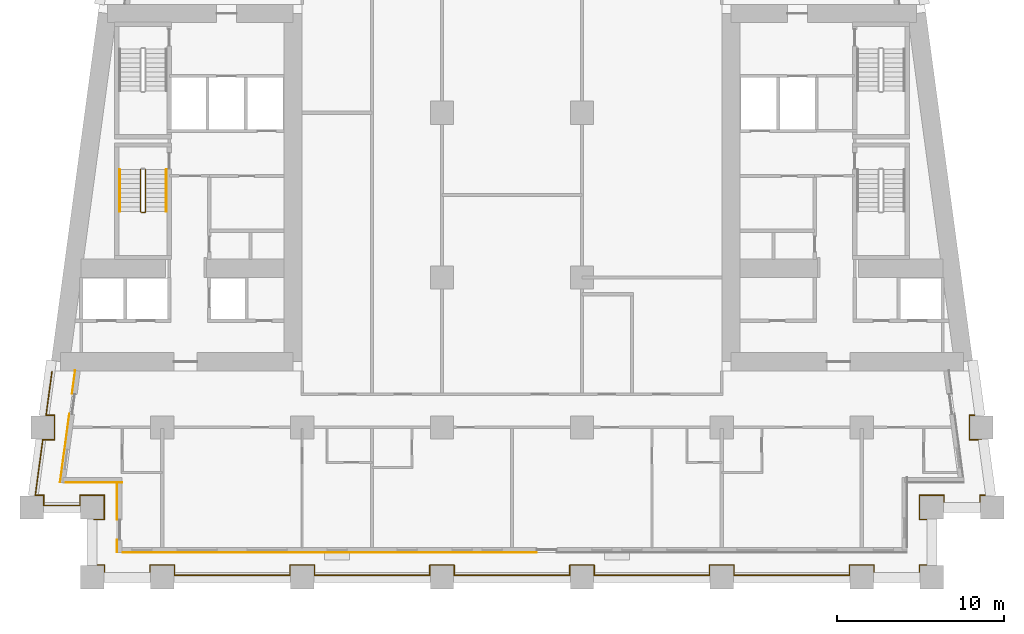
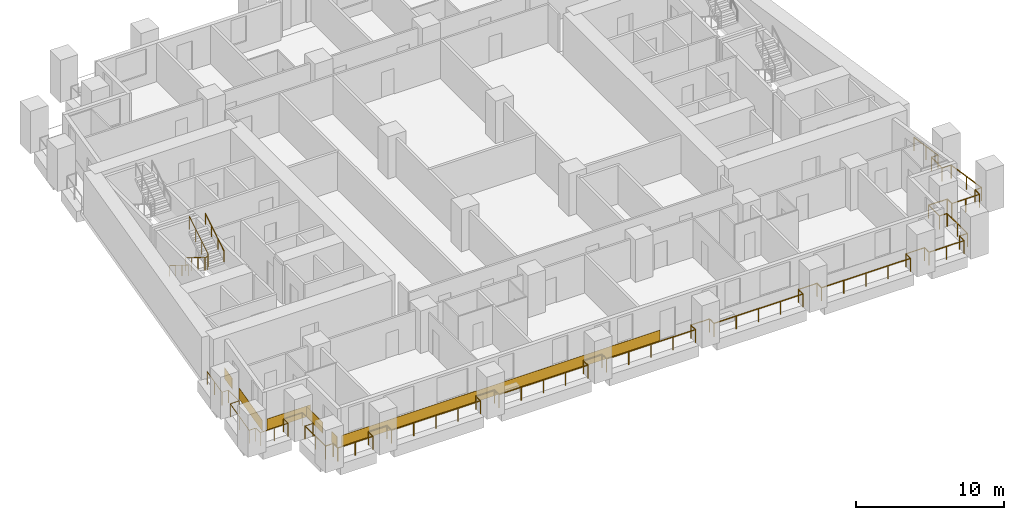
# One storey, part 8 of 12: 6 coverings, 5 railings.
"""IFC4 building model written with IfcOpenShell, lengths in metres."""

from ifc_helpers import new_model, si_unit, direction, frame, origin, origin_2d, place, context, subcontext, project, spatial, rectangle, circle, extrude, material, layer, layer_set, type_object, element, save


model = new_model("IFC4")

# Units and contexts
model_context = context("Model", 3, precision=1e-05, world=origin(), true_north=direction((0.0, 1.0)))
body_context = subcontext(model_context, "Body", "Model", "MODEL_VIEW")
ifc_project = project(units=[si_unit("LENGTHUNIT", "METRE"), si_unit("AREAUNIT", "SQUARE_METRE"), si_unit("VOLUMEUNIT", "CUBIC_METRE"), si_unit("PLANEANGLEUNIT", "RADIAN"), si_unit("MASSUNIT", "GRAM", prefix="KILO")], contexts=[model_context])

# Site, building, storey
site_placement = place(None, origin())
site = spatial("IfcSite", under=ifc_project, at=site_placement, CompositionType="ELEMENT")
building_placement = place(site_placement, origin())
building = spatial("IfcBuilding", under=site, at=building_placement, Name="Candeia Pilgrim Tower and Theatre", CompositionType="ELEMENT")
storey_placement = place(building_placement, frame((0.0, 0.0, 74.0)))
storey = spatial("IfcBuildingStorey", under=building, at=storey_placement, Name="L16", CompositionType="ELEMENT", Elevation=74.0)

# Railings
ifc_material_1 = material(Name="Stainless steel balustrade", Category="steel")
railing_type_1 = type_object("IfcRailingType", Name="G1 loggia guard 1100", PredefinedType="GUARDRAIL", material=ifc_material_1)
railing_1_placement = place(storey_placement, frame((88.320068359375, 101.469970703125, 0.0)))
element("IfcRailing", 1, at=railing_1_placement, inside=storey, type_object=railing_type_1, Name="Guard L16.1", PredefinedType="GUARDRAIL", context=body_context, shape_type="SweptSolid", body=[
    extrude(circle(Radius=0.02392578125, at=origin_2d()), frame((0.0, 0.0, 1.076171875), z_axis=(1.0, 0.0, 0.0), x_axis=(0.0, 1.0, 0.0)), (0.0, 0.0, 1.0), 0.60986328125),
    extrude(circle(Radius=0.02392578125, at=origin_2d()), frame((0.60986328125, 0.0, 1.076171875), z_axis=(0.0, 1.0, 0.0), x_axis=(-1.0, 0.0, 0.0)), (0.0, 0.0, 1.0), 1.4599609375),
    extrude(circle(Radius=0.02392578125, at=origin_2d()), frame((0.60986328125, 1.4599609375, 1.076171875), z_axis=(-1.0, 0.0, 0.0), x_axis=(0.0, -1.0, 0.0)), (0.0, 0.0, 1.0), 1.4599609375),
    extrude(circle(Radius=0.02392578125, at=origin_2d()), frame((-0.85009765625, 1.4599609375, 1.076171875), z_axis=(0.0, -1.0, 0.0), x_axis=(1.0, 0.0, 0.0)), (0.0, 0.0, 1.0), 0.60986328125),
    extrude(circle(Radius=0.02392578125, at=origin_2d()), frame((-0.85009765625, 0.85009765625, 1.076171875), z_axis=(-1.0, 0.0, 0.0), x_axis=(0.0, -1.0, 0.0)), (0.0, 0.0, 1.0), 2.174560546875),
    extrude(circle(Radius=0.02392578125, at=origin_2d()), frame((-3.024658203125, 0.85009765625, 1.076171875), z_axis=(0.0, 1.0, 0.0), x_axis=(-1.0, 0.0, 0.0)), (0.0, 0.0, 1.0), 0.60986328125),
    extrude(circle(Radius=0.02392578125, at=origin_2d()), frame((-3.024658203125, 1.4599609375, 1.076171875), z_axis=(-1.0, 0.0, 0.0), x_axis=(0.0, -1.0, 0.0)), (0.0, 0.0, 1.0), 0.5107421875),
    extrude(circle(Radius=0.02392578125, at=origin_2d()), frame((-3.535400390625, 1.4599609375, 1.076171875), z_axis=(0.133435273035, 0.991057530071, 0.0), x_axis=(-0.991057530071, 0.133435273035, 0.0)), (0.0, 0.0, 1.0), 3.3701171875),
    extrude(circle(Radius=0.02392578125, at=origin_2d()), frame((-3.085693359375, 4.800048828125, 1.076171875), z_axis=(1.0, 0.0, 0.0), x_axis=(0.0, 1.0, 0.0)), (0.0, 0.0, 1.0), 0.707275390625),
    extrude(circle(Radius=0.02392578125, at=origin_2d()), frame((-2.37841796875, 4.800048828125, 1.076171875), z_axis=(0.0, 1.0, 0.0), x_axis=(-1.0, 0.0, 0.0)), (0.0, 0.0, 1.0), 1.4599609375),
    extrude(circle(Radius=0.02392578125, at=origin_2d()), frame((-2.37841796875, 6.260009765625, 1.076171875), z_axis=(-1.0, 0.0, 0.0), x_axis=(0.0, -1.0, 0.0)), (0.0, 0.0, 1.0), 0.5107421875),
    extrude(circle(Radius=0.02392578125, at=origin_2d()), frame((-2.88916015625, 6.260009765625, 1.076171875), z_axis=(0.133439920495, 0.991056904329, 0.0), x_axis=(-0.991056904329, 0.133439920495, 0.0)), (0.0, 0.0, 1.0), 2.643798828125),
    extrude(circle(Radius=0.02099609375, at=origin_2d()), origin(), (0.0, 0.0, 1.0), 1.052001953125),
    extrude(circle(Radius=0.02099609375, at=origin_2d()), frame((0.60986328125, 0.0, 0.0)), (0.0, 0.0, 1.0), 1.052001953125),
    extrude(circle(Radius=0.02099609375, at=origin_2d()), frame((0.60986328125, 1.4599609375, 0.0)), (0.0, 0.0, 1.0), 1.052001953125),
    extrude(circle(Radius=0.02099609375, at=origin_2d()), frame((-0.85009765625, 1.4599609375, 0.0)), (0.0, 0.0, 1.0), 1.052001953125),
    extrude(circle(Radius=0.02099609375, at=origin_2d()), frame((-0.85009765625, 0.85009765625, 0.0)), (0.0, 0.0, 1.0), 1.052001953125),
    extrude(circle(Radius=0.02099609375, at=origin_2d()), frame((-1.9375, 0.85009765625, 0.0)), (0.0, 0.0, 1.0), 1.052001953125),
    extrude(circle(Radius=0.02099609375, at=origin_2d()), frame((-3.024658203125, 0.85009765625, 0.0)), (0.0, 0.0, 1.0), 1.052001953125),
    extrude(circle(Radius=0.02099609375, at=origin_2d()), frame((-3.024658203125, 1.4599609375, 0.0)), (0.0, 0.0, 1.0), 1.052001953125),
    extrude(circle(Radius=0.02099609375, at=origin_2d()), frame((-3.535400390625, 1.4599609375, 0.0)), (0.0, 0.0, 1.0), 1.052001953125),
    extrude(circle(Radius=0.02099609375, at=origin_2d()), frame((-3.310546875, 3.1298828125, 0.0)), (0.0, 0.0, 1.0), 1.052001953125),
    extrude(circle(Radius=0.02099609375, at=origin_2d()), frame((-3.085693359375, 4.800048828125, 0.0)), (0.0, 0.0, 1.0), 1.052001953125),
    extrude(circle(Radius=0.02099609375, at=origin_2d()), frame((-2.37841796875, 4.800048828125, 0.0)), (0.0, 0.0, 1.0), 1.052001953125),
    extrude(circle(Radius=0.02099609375, at=origin_2d()), frame((-2.37841796875, 6.260009765625, 0.0)), (0.0, 0.0, 1.0), 1.052001953125),
    extrude(circle(Radius=0.02099609375, at=origin_2d()), frame((-2.88916015625, 6.260009765625, 0.0)), (0.0, 0.0, 1.0), 1.052001953125),
    extrude(circle(Radius=0.02099609375, at=origin_2d()), frame((-2.712890625, 7.570068359375, 0.0)), (0.0, 0.0, 1.0), 1.052001953125),
    extrude(circle(Radius=0.02099609375, at=origin_2d()), frame((-2.536376953125, 8.880126953125, 0.0)), (0.0, 0.0, 1.0), 1.052001953125),
])
railing_2_placement = place(storey_placement, frame((141.016357421875, 110.35009765625, 0.0)))
element("IfcRailing", 2, at=railing_2_placement, inside=storey, type_object=railing_type_1, Name="Guard L16.4", PredefinedType="GUARDRAIL", context=body_context, shape_type="SweptSolid", body=[
    extrude(circle(Radius=0.02392578125, at=origin_2d()), frame((0.0, 0.0, 1.076171875), z_axis=(0.133439920495, -0.991056904329, 0.0), x_axis=(0.991056904329, 0.133439920495, 0.0)), (0.0, 0.0, 1.0), 2.643798828125),
    extrude(circle(Radius=0.02392578125, at=origin_2d()), frame((0.352783203125, -2.6201171875, 1.076171875), z_axis=(-1.0, 0.0, 0.0), x_axis=(0.0, -1.0, 0.0)), (0.0, 0.0, 1.0), 0.5107421875),
    extrude(circle(Radius=0.02392578125, at=origin_2d()), frame((-0.157958984375, -2.6201171875, 1.076171875), z_axis=(0.0, -1.0, 0.0), x_axis=(1.0, 0.0, 0.0)), (0.0, 0.0, 1.0), 1.4599609375),
    extrude(circle(Radius=0.02392578125, at=origin_2d()), frame((-0.157958984375, -4.080078125, 1.076171875), z_axis=(1.0, 0.0, 0.0), x_axis=(0.0, 1.0, 0.0)), (0.0, 0.0, 1.0), 0.707275390625),
    extrude(circle(Radius=0.02392578125, at=origin_2d()), frame((0.54931640625, -4.080078125, 1.076171875), z_axis=(0.133435273035, -0.991057530071, 0.0), x_axis=(0.991057530071, 0.133435273035, 0.0)), (0.0, 0.0, 1.0), 3.3701171875),
    extrude(circle(Radius=0.02392578125, at=origin_2d()), frame((0.9990234375, -7.420166015625, 1.076171875), z_axis=(-1.0, 0.0, 0.0), x_axis=(0.0, -1.0, 0.0)), (0.0, 0.0, 1.0), 0.5107421875),
    extrude(circle(Radius=0.02392578125, at=origin_2d()), frame((0.48828125, -7.420166015625, 1.076171875), z_axis=(0.0, -1.0, 0.0), x_axis=(1.0, 0.0, 0.0)), (0.0, 0.0, 1.0), 0.60986328125),
    extrude(circle(Radius=0.02392578125, at=origin_2d()), frame((0.48828125, -8.030029296875, 1.076171875), z_axis=(-1.0, 0.0, 0.0), x_axis=(0.0, -1.0, 0.0)), (0.0, 0.0, 1.0), 2.174560546875),
    extrude(circle(Radius=0.02392578125, at=origin_2d()), frame((-1.686279296875, -8.030029296875, 1.076171875), z_axis=(0.0, 1.0, 0.0), x_axis=(-1.0, 0.0, 0.0)), (0.0, 0.0, 1.0), 0.60986328125),
    extrude(circle(Radius=0.02392578125, at=origin_2d()), frame((-1.686279296875, -7.420166015625, 1.076171875), z_axis=(-1.0, 0.0, 0.0), x_axis=(0.0, -1.0, 0.0)), (0.0, 0.0, 1.0), 1.4599609375),
    extrude(circle(Radius=0.02392578125, at=origin_2d()), frame((-3.146240234375, -7.420166015625, 1.076171875), z_axis=(0.0, -1.0, 0.0), x_axis=(1.0, 0.0, 0.0)), (0.0, 0.0, 1.0), 1.4599609375),
    extrude(circle(Radius=0.02392578125, at=origin_2d()), frame((-3.146240234375, -8.880126953125, 1.076171875), z_axis=(1.0, 0.0, 0.0), x_axis=(0.0, 1.0, 0.0)), (0.0, 0.0, 1.0), 0.60986328125),
    extrude(circle(Radius=0.02392578125, at=origin_2d()), frame((-2.536376953125, -8.880126953125, 1.076171875), z_axis=(0.0, -1.0, 0.0), x_axis=(1.0, 0.0, 0.0)), (0.0, 0.0, 1.0), 2.739990234375),
    extrude(circle(Radius=0.02392578125, at=origin_2d()), frame((-2.536376953125, -11.6201171875, 1.076171875), z_axis=(-1.0, 0.0, 0.0), x_axis=(0.0, -1.0, 0.0)), (0.0, 0.0, 1.0), 0.60986328125),
    extrude(circle(Radius=0.02392578125, at=origin_2d()), frame((-3.146240234375, -11.6201171875, 1.076171875), z_axis=(0.0, -1.0, 0.0), x_axis=(1.0, 0.0, 0.0)), (0.0, 0.0, 1.0), 0.60986328125),
    extrude(circle(Radius=0.02392578125, at=origin_2d()), frame((-3.146240234375, -12.22998046875, 1.076171875), z_axis=(-1.0, 0.0, 0.0), x_axis=(0.0, -1.0, 0.0)), (0.0, 0.0, 1.0), 2.740234375),
    extrude(circle(Radius=0.02392578125, at=origin_2d()), frame((-5.886474609375, -12.22998046875, 1.076171875), z_axis=(0.0, 1.0, 0.0), x_axis=(-1.0, 0.0, 0.0)), (0.0, 0.0, 1.0), 0.60986328125),
    extrude(circle(Radius=0.02392578125, at=origin_2d()), frame((-5.886474609375, -11.6201171875, 1.076171875), z_axis=(-1.0, 0.0, 0.0), x_axis=(0.0, -1.0, 0.0)), (0.0, 0.0, 1.0), 1.4599609375),
    extrude(circle(Radius=0.02392578125, at=origin_2d()), frame((-7.346435546875, -11.6201171875, 1.076171875), z_axis=(0.0, -1.0, 0.0), x_axis=(1.0, 0.0, 0.0)), (0.0, 0.0, 1.0), 0.60986328125),
    extrude(circle(Radius=0.02392578125, at=origin_2d()), frame((-7.346435546875, -12.22998046875, 1.076171875), z_axis=(-1.0, 0.0, 0.0), x_axis=(0.0, -1.0, 0.0)), (0.0, 0.0, 1.0), 6.93994140625),
    extrude(circle(Radius=0.02392578125, at=origin_2d()), frame((-14.286376953125, -12.22998046875, 1.076171875), z_axis=(0.0, 1.0, 0.0), x_axis=(-1.0, 0.0, 0.0)), (0.0, 0.0, 1.0), 0.60986328125),
    extrude(circle(Radius=0.02392578125, at=origin_2d()), frame((-14.286376953125, -11.6201171875, 1.076171875), z_axis=(-1.0, 0.0, 0.0), x_axis=(0.0, -1.0, 0.0)), (0.0, 0.0, 1.0), 1.4599609375),
    extrude(circle(Radius=0.02392578125, at=origin_2d()), frame((-15.746337890625, -11.6201171875, 1.076171875), z_axis=(0.0, -1.0, 0.0), x_axis=(1.0, 0.0, 0.0)), (0.0, 0.0, 1.0), 0.60986328125),
    extrude(circle(Radius=0.02392578125, at=origin_2d()), frame((-15.746337890625, -12.22998046875, 1.076171875), z_axis=(-1.0, 0.0, 0.0), x_axis=(0.0, -1.0, 0.0)), (0.0, 0.0, 1.0), 6.93994140625),
    extrude(circle(Radius=0.02392578125, at=origin_2d()), frame((-22.686279296875, -12.22998046875, 1.076171875), z_axis=(0.0, 1.0, 0.0), x_axis=(-1.0, 0.0, 0.0)), (0.0, 0.0, 1.0), 0.60986328125),
    extrude(circle(Radius=0.02392578125, at=origin_2d()), frame((-22.686279296875, -11.6201171875, 1.076171875), z_axis=(-1.0, 0.0, 0.0), x_axis=(0.0, -1.0, 0.0)), (0.0, 0.0, 1.0), 1.4599609375),
    extrude(circle(Radius=0.02392578125, at=origin_2d()), frame((-24.146240234375, -11.6201171875, 1.076171875), z_axis=(0.0, -1.0, 0.0), x_axis=(1.0, 0.0, 0.0)), (0.0, 0.0, 1.0), 0.60986328125),
    extrude(circle(Radius=0.02392578125, at=origin_2d()), frame((-24.146240234375, -12.22998046875, 1.076171875), z_axis=(-1.0, 0.0, 0.0), x_axis=(0.0, -1.0, 0.0)), (0.0, 0.0, 1.0), 6.940185546875),
    extrude(circle(Radius=0.02392578125, at=origin_2d()), frame((-31.08642578125, -12.22998046875, 1.076171875), z_axis=(0.0, 1.0, 0.0), x_axis=(-1.0, 0.0, 0.0)), (0.0, 0.0, 1.0), 0.60986328125),
    extrude(circle(Radius=0.02392578125, at=origin_2d()), frame((-31.08642578125, -11.6201171875, 1.076171875), z_axis=(-1.0, 0.0, 0.0), x_axis=(0.0, -1.0, 0.0)), (0.0, 0.0, 1.0), 1.4599609375),
    extrude(circle(Radius=0.02392578125, at=origin_2d()), frame((-32.54638671875, -11.6201171875, 1.076171875), z_axis=(0.0, -1.0, 0.0), x_axis=(1.0, 0.0, 0.0)), (0.0, 0.0, 1.0), 0.60986328125),
    extrude(circle(Radius=0.02392578125, at=origin_2d()), frame((-32.54638671875, -12.22998046875, 1.076171875), z_axis=(-1.0, 0.0, 0.0), x_axis=(0.0, -1.0, 0.0)), (0.0, 0.0, 1.0), 6.93994140625),
    extrude(circle(Radius=0.02392578125, at=origin_2d()), frame((-39.486328125, -12.22998046875, 1.076171875), z_axis=(0.0, 1.0, 0.0), x_axis=(-1.0, 0.0, 0.0)), (0.0, 0.0, 1.0), 0.60986328125),
    extrude(circle(Radius=0.02392578125, at=origin_2d()), frame((-39.486328125, -11.6201171875, 1.076171875), z_axis=(-1.0, 0.0, 0.0), x_axis=(0.0, -1.0, 0.0)), (0.0, 0.0, 1.0), 1.4599609375),
    extrude(circle(Radius=0.02392578125, at=origin_2d()), frame((-40.9462890625, -11.6201171875, 1.076171875), z_axis=(0.0, -1.0, 0.0), x_axis=(1.0, 0.0, 0.0)), (0.0, 0.0, 1.0), 0.60986328125),
    extrude(circle(Radius=0.02392578125, at=origin_2d()), frame((-40.9462890625, -12.22998046875, 1.076171875), z_axis=(-1.0, 0.0, 0.0), x_axis=(0.0, -1.0, 0.0)), (0.0, 0.0, 1.0), 6.940185546875),
    extrude(circle(Radius=0.02392578125, at=origin_2d()), frame((-47.886474609375, -12.22998046875, 1.076171875), z_axis=(0.0, 1.0, 0.0), x_axis=(-1.0, 0.0, 0.0)), (0.0, 0.0, 1.0), 0.60986328125),
    extrude(circle(Radius=0.02392578125, at=origin_2d()), frame((-47.886474609375, -11.6201171875, 1.076171875), z_axis=(-1.0, 0.0, 0.0), x_axis=(0.0, -1.0, 0.0)), (0.0, 0.0, 1.0), 1.4599609375),
    extrude(circle(Radius=0.02392578125, at=origin_2d()), frame((-49.346435546875, -11.6201171875, 1.076171875), z_axis=(0.0, -1.0, 0.0), x_axis=(1.0, 0.0, 0.0)), (0.0, 0.0, 1.0), 0.60986328125),
    extrude(circle(Radius=0.02392578125, at=origin_2d()), frame((-49.346435546875, -12.22998046875, 1.076171875), z_axis=(-1.0, 0.0, 0.0), x_axis=(0.0, -1.0, 0.0)), (0.0, 0.0, 1.0), 2.739990234375),
    extrude(circle(Radius=0.02392578125, at=origin_2d()), frame((-52.08642578125, -12.22998046875, 1.076171875), z_axis=(0.0, 1.0, 0.0), x_axis=(-1.0, 0.0, 0.0)), (0.0, 0.0, 1.0), 0.60986328125),
    extrude(circle(Radius=0.02392578125, at=origin_2d()), frame((-52.08642578125, -11.6201171875, 1.076171875), z_axis=(-1.0, 0.0, 0.0), x_axis=(0.0, -1.0, 0.0)), (0.0, 0.0, 1.0), 0.60986328125),
    extrude(circle(Radius=0.02392578125, at=origin_2d()), frame((-52.6962890625, -11.6201171875, 1.076171875), z_axis=(0.0, 1.0, 0.0), x_axis=(-1.0, 0.0, 0.0)), (0.0, 0.0, 1.0), 2.739990234375),
    extrude(circle(Radius=0.02099609375, at=origin_2d()), origin(), (0.0, 0.0, 1.0), 1.052001953125),
    extrude(circle(Radius=0.02099609375, at=origin_2d()), frame((0.17626953125, -1.31005859375, 0.0)), (0.0, 0.0, 1.0), 1.052001953125),
    extrude(circle(Radius=0.02099609375, at=origin_2d()), frame((0.352783203125, -2.6201171875, 0.0)), (0.0, 0.0, 1.0), 1.052001953125),
    extrude(circle(Radius=0.02099609375, at=origin_2d()), frame((-0.157958984375, -2.6201171875, 0.0)), (0.0, 0.0, 1.0), 1.052001953125),
    extrude(circle(Radius=0.02099609375, at=origin_2d()), frame((-0.157958984375, -4.080078125, 0.0)), (0.0, 0.0, 1.0), 1.052001953125),
    extrude(circle(Radius=0.02099609375, at=origin_2d()), frame((0.54931640625, -4.080078125, 0.0)), (0.0, 0.0, 1.0), 1.052001953125),
    extrude(circle(Radius=0.02099609375, at=origin_2d()), frame((0.774169921875, -5.75, 0.0)), (0.0, 0.0, 1.0), 1.052001953125),
    extrude(circle(Radius=0.02099609375, at=origin_2d()), frame((0.9990234375, -7.420166015625, 0.0)), (0.0, 0.0, 1.0), 1.052001953125),
    extrude(circle(Radius=0.02099609375, at=origin_2d()), frame((0.48828125, -7.420166015625, 0.0)), (0.0, 0.0, 1.0), 1.052001953125),
    extrude(circle(Radius=0.02099609375, at=origin_2d()), frame((0.48828125, -8.030029296875, 0.0)), (0.0, 0.0, 1.0), 1.052001953125),
    extrude(circle(Radius=0.02099609375, at=origin_2d()), frame((-0.59912109375, -8.030029296875, 0.0)), (0.0, 0.0, 1.0), 1.052001953125),
    extrude(circle(Radius=0.02099609375, at=origin_2d()), frame((-1.686279296875, -8.030029296875, 0.0)), (0.0, 0.0, 1.0), 1.052001953125),
    extrude(circle(Radius=0.02099609375, at=origin_2d()), frame((-1.686279296875, -7.420166015625, 0.0)), (0.0, 0.0, 1.0), 1.052001953125),
    extrude(circle(Radius=0.02099609375, at=origin_2d()), frame((-3.146240234375, -7.420166015625, 0.0)), (0.0, 0.0, 1.0), 1.052001953125),
    extrude(circle(Radius=0.02099609375, at=origin_2d()), frame((-3.146240234375, -8.880126953125, 0.0)), (0.0, 0.0, 1.0), 1.052001953125),
    extrude(circle(Radius=0.02099609375, at=origin_2d()), frame((-2.536376953125, -8.880126953125, 0.0)), (0.0, 0.0, 1.0), 1.052001953125),
    extrude(circle(Radius=0.02099609375, at=origin_2d()), frame((-2.536376953125, -10.25, 0.0)), (0.0, 0.0, 1.0), 1.052001953125),
    extrude(circle(Radius=0.02099609375, at=origin_2d()), frame((-2.536376953125, -11.6201171875, 0.0)), (0.0, 0.0, 1.0), 1.052001953125),
    extrude(circle(Radius=0.02099609375, at=origin_2d()), frame((-3.146240234375, -11.6201171875, 0.0)), (0.0, 0.0, 1.0), 1.052001953125),
    extrude(circle(Radius=0.02099609375, at=origin_2d()), frame((-3.146240234375, -12.22998046875, 0.0)), (0.0, 0.0, 1.0), 1.052001953125),
    extrude(circle(Radius=0.02099609375, at=origin_2d()), frame((-4.516357421875, -12.22998046875, 0.0)), (0.0, 0.0, 1.0), 1.052001953125),
    extrude(circle(Radius=0.02099609375, at=origin_2d()), frame((-5.886474609375, -12.22998046875, 0.0)), (0.0, 0.0, 1.0), 1.052001953125),
    extrude(circle(Radius=0.02099609375, at=origin_2d()), frame((-5.886474609375, -11.6201171875, 0.0)), (0.0, 0.0, 1.0), 1.052001953125),
    extrude(circle(Radius=0.02099609375, at=origin_2d()), frame((-7.346435546875, -11.6201171875, 0.0)), (0.0, 0.0, 1.0), 1.052001953125),
    extrude(circle(Radius=0.02099609375, at=origin_2d()), frame((-7.346435546875, -12.22998046875, 0.0)), (0.0, 0.0, 1.0), 1.052001953125),
    extrude(circle(Radius=0.02099609375, at=origin_2d()), frame((-9.08154296875, -12.22998046875, 0.0)), (0.0, 0.0, 1.0), 1.052001953125),
    extrude(circle(Radius=0.02099609375, at=origin_2d()), frame((-10.81640625, -12.22998046875, 0.0)), (0.0, 0.0, 1.0), 1.052001953125),
    extrude(circle(Radius=0.02099609375, at=origin_2d()), frame((-12.55126953125, -12.22998046875, 0.0)), (0.0, 0.0, 1.0), 1.052001953125),
    extrude(circle(Radius=0.02099609375, at=origin_2d()), frame((-14.286376953125, -12.22998046875, 0.0)), (0.0, 0.0, 1.0), 1.052001953125),
    extrude(circle(Radius=0.02099609375, at=origin_2d()), frame((-14.286376953125, -11.6201171875, 0.0)), (0.0, 0.0, 1.0), 1.052001953125),
    extrude(circle(Radius=0.02099609375, at=origin_2d()), frame((-15.746337890625, -11.6201171875, 0.0)), (0.0, 0.0, 1.0), 1.052001953125),
    extrude(circle(Radius=0.02099609375, at=origin_2d()), frame((-15.746337890625, -12.22998046875, 0.0)), (0.0, 0.0, 1.0), 1.052001953125),
    extrude(circle(Radius=0.02099609375, at=origin_2d()), frame((-17.4814453125, -12.22998046875, 0.0)), (0.0, 0.0, 1.0), 1.052001953125),
    extrude(circle(Radius=0.02099609375, at=origin_2d()), frame((-19.21630859375, -12.22998046875, 0.0)), (0.0, 0.0, 1.0), 1.052001953125),
    extrude(circle(Radius=0.02099609375, at=origin_2d()), frame((-20.951171875, -12.22998046875, 0.0)), (0.0, 0.0, 1.0), 1.052001953125),
    extrude(circle(Radius=0.02099609375, at=origin_2d()), frame((-22.686279296875, -12.22998046875, 0.0)), (0.0, 0.0, 1.0), 1.052001953125),
    extrude(circle(Radius=0.02099609375, at=origin_2d()), frame((-22.686279296875, -11.6201171875, 0.0)), (0.0, 0.0, 1.0), 1.052001953125),
    extrude(circle(Radius=0.02099609375, at=origin_2d()), frame((-24.146240234375, -11.6201171875, 0.0)), (0.0, 0.0, 1.0), 1.052001953125),
    extrude(circle(Radius=0.02099609375, at=origin_2d()), frame((-24.146240234375, -12.22998046875, 0.0)), (0.0, 0.0, 1.0), 1.052001953125),
    extrude(circle(Radius=0.02099609375, at=origin_2d()), frame((-25.88134765625, -12.22998046875, 0.0)), (0.0, 0.0, 1.0), 1.052001953125),
    extrude(circle(Radius=0.02099609375, at=origin_2d()), frame((-27.6162109375, -12.22998046875, 0.0)), (0.0, 0.0, 1.0), 1.052001953125),
    extrude(circle(Radius=0.02099609375, at=origin_2d()), frame((-29.351318359375, -12.22998046875, 0.0)), (0.0, 0.0, 1.0), 1.052001953125),
    extrude(circle(Radius=0.02099609375, at=origin_2d()), frame((-31.08642578125, -12.22998046875, 0.0)), (0.0, 0.0, 1.0), 1.052001953125),
    extrude(circle(Radius=0.02099609375, at=origin_2d()), frame((-31.08642578125, -11.6201171875, 0.0)), (0.0, 0.0, 1.0), 1.052001953125),
    extrude(circle(Radius=0.02099609375, at=origin_2d()), frame((-32.54638671875, -11.6201171875, 0.0)), (0.0, 0.0, 1.0), 1.052001953125),
    extrude(circle(Radius=0.02099609375, at=origin_2d()), frame((-32.54638671875, -12.22998046875, 0.0)), (0.0, 0.0, 1.0), 1.052001953125),
    extrude(circle(Radius=0.02099609375, at=origin_2d()), frame((-34.28125, -12.22998046875, 0.0)), (0.0, 0.0, 1.0), 1.052001953125),
    extrude(circle(Radius=0.02099609375, at=origin_2d()), frame((-36.016357421875, -12.22998046875, 0.0)), (0.0, 0.0, 1.0), 1.052001953125),
    extrude(circle(Radius=0.02099609375, at=origin_2d()), frame((-37.75146484375, -12.22998046875, 0.0)), (0.0, 0.0, 1.0), 1.052001953125),
    extrude(circle(Radius=0.02099609375, at=origin_2d()), frame((-39.486328125, -12.22998046875, 0.0)), (0.0, 0.0, 1.0), 1.052001953125),
    extrude(circle(Radius=0.02099609375, at=origin_2d()), frame((-39.486328125, -11.6201171875, 0.0)), (0.0, 0.0, 1.0), 1.052001953125),
    extrude(circle(Radius=0.02099609375, at=origin_2d()), frame((-40.9462890625, -11.6201171875, 0.0)), (0.0, 0.0, 1.0), 1.052001953125),
    extrude(circle(Radius=0.02099609375, at=origin_2d()), frame((-40.9462890625, -12.22998046875, 0.0)), (0.0, 0.0, 1.0), 1.052001953125),
    extrude(circle(Radius=0.02099609375, at=origin_2d()), frame((-42.681396484375, -12.22998046875, 0.0)), (0.0, 0.0, 1.0), 1.052001953125),
    extrude(circle(Radius=0.02099609375, at=origin_2d()), frame((-44.41650390625, -12.22998046875, 0.0)), (0.0, 0.0, 1.0), 1.052001953125),
    extrude(circle(Radius=0.02099609375, at=origin_2d()), frame((-46.1513671875, -12.22998046875, 0.0)), (0.0, 0.0, 1.0), 1.052001953125),
    extrude(circle(Radius=0.02099609375, at=origin_2d()), frame((-47.886474609375, -12.22998046875, 0.0)), (0.0, 0.0, 1.0), 1.052001953125),
    extrude(circle(Radius=0.02099609375, at=origin_2d()), frame((-47.886474609375, -11.6201171875, 0.0)), (0.0, 0.0, 1.0), 1.052001953125),
    extrude(circle(Radius=0.02099609375, at=origin_2d()), frame((-49.346435546875, -11.6201171875, 0.0)), (0.0, 0.0, 1.0), 1.052001953125),
    extrude(circle(Radius=0.02099609375, at=origin_2d()), frame((-49.346435546875, -12.22998046875, 0.0)), (0.0, 0.0, 1.0), 1.052001953125),
    extrude(circle(Radius=0.02099609375, at=origin_2d()), frame((-50.71630859375, -12.22998046875, 0.0)), (0.0, 0.0, 1.0), 1.052001953125),
    extrude(circle(Radius=0.02099609375, at=origin_2d()), frame((-52.08642578125, -12.22998046875, 0.0)), (0.0, 0.0, 1.0), 1.052001953125),
    extrude(circle(Radius=0.02099609375, at=origin_2d()), frame((-52.08642578125, -11.6201171875, 0.0)), (0.0, 0.0, 1.0), 1.052001953125),
    extrude(circle(Radius=0.02099609375, at=origin_2d()), frame((-52.6962890625, -11.6201171875, 0.0)), (0.0, 0.0, 1.0), 1.052001953125),
    extrude(circle(Radius=0.02099609375, at=origin_2d()), frame((-52.6962890625, -10.25, 0.0)), (0.0, 0.0, 1.0), 1.052001953125),
    extrude(circle(Radius=0.02099609375, at=origin_2d()), frame((-52.6962890625, -8.880126953125, 0.0)), (0.0, 0.0, 1.0), 1.052001953125),
])

# Coverings
ifc_material_2 = material(Name="Glazed ceramic tile deep red")
ifc_layer = layer(ifc_material_2, 0.02001953125)
ifc_layer_set = layer_set([ifc_layer], Name="Glazed ceramic tile deep red")
covering_type = type_object("IfcCoveringType", Name="Glazed ceramic tile deep red", PredefinedType="CLADDING", material=ifc_layer_set)
covering_1_placement = place(storey_placement, frame((102.4599609375, 99.489990234375, 0.0), z_axis=(0.0, 0.0, 1.0), x_axis=(1.0, 0.0, 0.0)))
element("IfcCovering", 3, at=covering_1_placement, inside=storey, type_object=covering_type, Name="Tile cladding deep red L16", PredefinedType="CLADDING", context=body_context, shape_type="SweptSolid", body=[
    extrude(rectangle(XDim=24.8798828125, YDim=0.02001953125, at=origin_2d()), origin(), (0.0, 0.0, 1.0), 0.89990234375),
])
covering_2_placement = place(storey_placement, frame((87.0810546875, 109.71875, 0.0), z_axis=(0.0, 0.0, 1.0), x_axis=(-0.133412012145, -0.991060661622, 0.0)))
element("IfcCovering", 4, at=covering_2_placement, inside=storey, type_object=covering_type, Name="Tile cladding deep red L16", PredefinedType="CLADDING", context=body_context, shape_type="SweptSolid", body=[
    extrude(rectangle(XDim=1.41796875, YDim=0.02001953125, at=origin_2d()), origin(), (0.0, 0.0, 1.0), 0.89990234375),
])
covering_3_placement = place(storey_placement, frame((86.548583984375, 105.763916015625, 0.0), z_axis=(0.0, 0.0, 1.0), x_axis=(-0.133412012145, -0.991060661622, 0.0)))
element("IfcCovering", 5, at=covering_3_placement, inside=storey, type_object=covering_type, Name="Tile cladding deep red L16", PredefinedType="CLADDING", context=body_context, shape_type="SweptSolid", body=[
    extrude(rectangle(XDim=4.16259765625, YDim=0.02001953125, at=origin_2d()), origin(), (0.0, 0.0, 1.0), 0.89990234375),
])
covering_4_placement = place(storey_placement, frame((88.311279296875, 103.68994140625, 0.0), z_axis=(0.0, 0.0, 1.0), x_axis=(1.0, 0.0, 0.0)))
element("IfcCovering", 6, at=covering_4_placement, inside=storey, type_object=covering_type, Name="Tile cladding deep red L16", PredefinedType="CLADDING", context=body_context, shape_type="SweptSolid", body=[
    extrude(rectangle(XDim=3.377685546875, YDim=0.02001953125, at=origin_2d()), origin(), (0.0, 0.0, 1.0), 0.89990234375),
])
covering_5_placement = place(storey_placement, frame((89.68994140625, 102.56494140625, 0.0), z_axis=(0.0, 0.0, 1.0), x_axis=(0.0, -1.0, 0.0)))
element("IfcCovering", 7, at=covering_5_placement, inside=storey, type_object=covering_type, Name="Tile cladding deep red L16", PredefinedType="CLADDING", context=body_context, shape_type="SweptSolid", body=[
    extrude(rectangle(XDim=2.22998046875, YDim=0.02001953125, at=origin_2d()), origin(), (0.0, 0.0, 1.0), 0.89990234375),
])
covering_6_placement = place(storey_placement, frame((89.68994140625, 99.875, 0.0), z_axis=(0.0, 0.0, 1.0), x_axis=(0.0, -1.0, 0.0)))
element("IfcCovering", 8, at=covering_6_placement, inside=storey, type_object=covering_type, Name="Tile cladding deep red L16", PredefinedType="CLADDING", context=body_context, shape_type="SweptSolid", body=[
    extrude(rectangle(XDim=0.75, YDim=0.02001953125, at=origin_2d()), origin(), (0.0, 0.0, 1.0), 0.89990234375),
])

# Railings
railing_type_2 = type_object("IfcRailingType", Name="RL-GUARD-1100", PredefinedType="GUARDRAIL", material=ifc_material_1)
railing_3_placement = place(storey_placement, frame((91.10205078125, 122.47509765625, 0.175048828125)))
element("IfcRailing", 9, at=railing_3_placement, inside=storey, type_object=railing_type_2, Name="L16 ST1 stair guard 1", PredefinedType="GUARDRAIL", context=body_context, shape_type="SweptSolid", body=[
    extrude(circle(Radius=0.02392578125, at=origin_2d()), frame((0.0, 0.0, 1.076171875), z_axis=(0.0, -0.848007534815, 0.529984170421), x_axis=(1.0, 0.0, 0.0)), (0.0, 0.0, 1.0), 2.9716796875),
    extrude(circle(Radius=0.02392578125, at=origin_2d()), frame((0.0, -2.52001953125, 2.65087890625), z_axis=(0.707106781187, -0.707106781187, 0.0), x_axis=(0.707106781187, 0.707106781187, 0.0)), (0.0, 0.0, 1.0), 0.07080078125),
    extrude(circle(Radius=0.02392578125, at=origin_2d()), frame((0.050048828125, -2.570068359375, 2.65087890625), z_axis=(1.0, 0.0, 0.0), x_axis=(0.0, 1.0, 0.0)), (0.0, 0.0, 1.0), 0.199951171875),
    extrude(circle(Radius=0.02392578125, at=origin_2d()), frame((0.25, -2.570068359375, 2.65087890625), z_axis=(0.265065253269, 0.265065253269, 0.927081885822), x_axis=(-0.707106781187, 0.707106781187, 0.0)), (0.0, 0.0, 1.0), 0.188720703125),
    extrude(circle(Radius=0.02392578125, at=origin_2d()), frame((0.300048828125, -2.52001953125, 2.826171875), z_axis=(0.0, 0.848007534815, 0.529984170421), x_axis=(-1.0, 0.0, 0.0)), (0.0, 0.0, 1.0), 2.9716796875),
    extrude(circle(Radius=0.02099609375, at=origin_2d()), origin(), (0.0, 0.0, 1.0), 1.052001953125),
    extrude(circle(Radius=0.02099609375, at=origin_2d()), frame((0.0, -0.840087890625, 0.52490234375)), (0.0, 0.0, 1.0), 1.052001953125),
    extrude(circle(Radius=0.02099609375, at=origin_2d()), frame((0.0, -1.679931640625, 1.050048828125)), (0.0, 0.0, 1.0), 1.052001953125),
    extrude(circle(Radius=0.02099609375, at=origin_2d()), frame((0.0, -2.52001953125, 1.574951171875)), (0.0, 0.0, 1.0), 1.052001953125),
    extrude(circle(Radius=0.02099609375, at=origin_2d()), frame((0.050048828125, -2.570068359375, 1.574951171875)), (0.0, 0.0, 1.0), 1.052001953125),
    extrude(circle(Radius=0.02099609375, at=origin_2d()), frame((0.25, -2.570068359375, 1.574951171875)), (0.0, 0.0, 1.0), 1.052001953125),
    extrude(circle(Radius=0.02099609375, at=origin_2d()), frame((0.300048828125, -2.52001953125, 1.75)), (0.0, 0.0, 1.0), 1.052001953125),
    extrude(circle(Radius=0.02099609375, at=origin_2d()), frame((0.300048828125, -1.679931640625, 2.27490234375)), (0.0, 0.0, 1.0), 1.052001953125),
    extrude(circle(Radius=0.02099609375, at=origin_2d()), frame((0.300048828125, -0.840087890625, 2.800048828125)), (0.0, 0.0, 1.0), 1.052001953125),
    extrude(circle(Radius=0.02099609375, at=origin_2d()), frame((0.300048828125, 0.0, 3.324951171875)), (0.0, 0.0, 1.0), 1.052001953125),
])
ifc_material_3 = material(Name="Stainless steel handrail", Category="steel")
railing_type_3 = type_object("IfcRailingType", Name="RL-HANDRAIL-900", PredefinedType="HANDRAIL", material=ifc_material_3)
railing_4_placement = place(storey_placement, frame((89.85205078125, 122.47509765625, 0.175048828125)))
element("IfcRailing", 10, at=railing_4_placement, inside=storey, type_object=railing_type_3, Name="L16 ST1 stair handrail 1", PredefinedType="HANDRAIL", context=body_context, shape_type="SweptSolid", body=[
    extrude(circle(Radius=0.02392578125, at=origin_2d()), frame((0.0, 0.0, 0.8759765625), z_axis=(0.0, -0.848007534815, 0.529984170421), x_axis=(1.0, 0.0, 0.0)), (0.0, 0.0, 1.0), 2.9716796875),
    extrude(circle(Radius=0.02099609375, at=origin_2d()), origin(), (0.0, 0.0, 1.0), 0.851806640625),
    extrude(circle(Radius=0.02099609375, at=origin_2d()), frame((0.0, -0.840087890625, 0.52490234375)), (0.0, 0.0, 1.0), 0.851806640625),
    extrude(circle(Radius=0.02099609375, at=origin_2d()), frame((0.0, -1.679931640625, 1.050048828125)), (0.0, 0.0, 1.0), 0.851806640625),
    extrude(circle(Radius=0.02099609375, at=origin_2d()), frame((0.0, -2.52001953125, 1.574951171875)), (0.0, 0.0, 1.0), 0.851806640625),
])
railing_5_placement = place(storey_placement, frame((92.652099609375, 119.955078125, 1.925048828125)))
element("IfcRailing", 11, at=railing_5_placement, inside=storey, type_object=railing_type_3, Name="L16 ST1 stair handrail 2", PredefinedType="HANDRAIL", context=body_context, shape_type="SweptSolid", body=[
    extrude(circle(Radius=0.02392578125, at=origin_2d()), frame((0.0, 0.0, 0.8759765625), z_axis=(0.0, 0.848007534815, 0.529984170421), x_axis=(-1.0, 0.0, 0.0)), (0.0, 0.0, 1.0), 2.9716796875),
    extrude(circle(Radius=0.02099609375, at=origin_2d()), origin(), (0.0, 0.0, 1.0), 0.851806640625),
    extrude(circle(Radius=0.02099609375, at=origin_2d()), frame((0.0, 0.840087890625, 0.52490234375)), (0.0, 0.0, 1.0), 0.851806640625),
    extrude(circle(Radius=0.02099609375, at=origin_2d()), frame((0.0, 1.679931640625, 1.050048828125)), (0.0, 0.0, 1.0), 0.851806640625),
    extrude(circle(Radius=0.02099609375, at=origin_2d()), frame((0.0, 2.52001953125, 1.574951171875)), (0.0, 0.0, 1.0), 0.851806640625),
])

save(model, "model.ifc")
